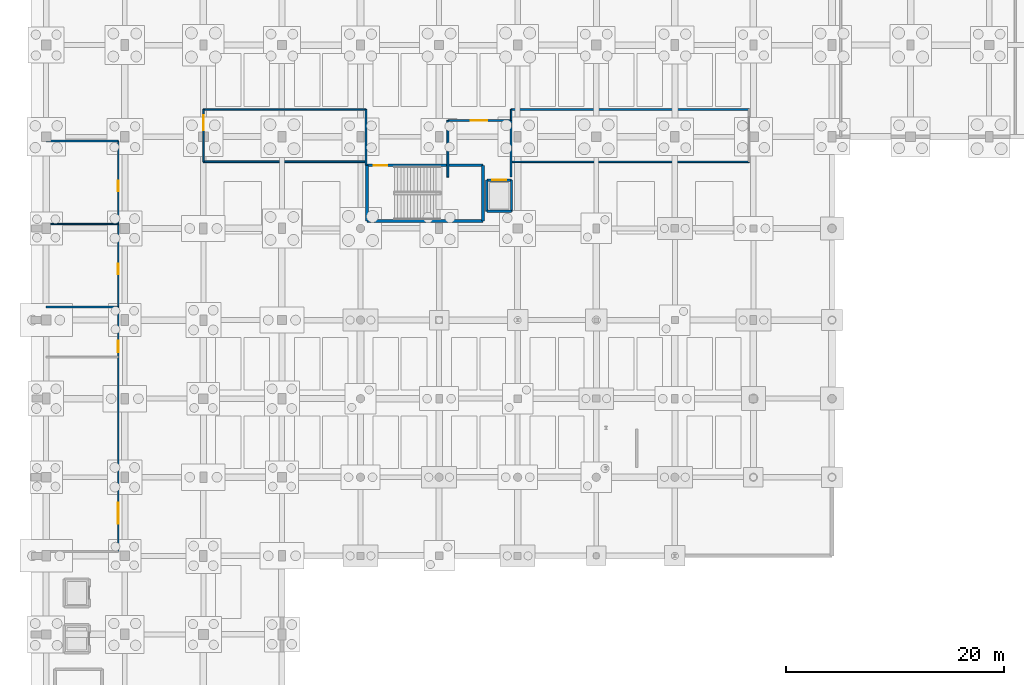
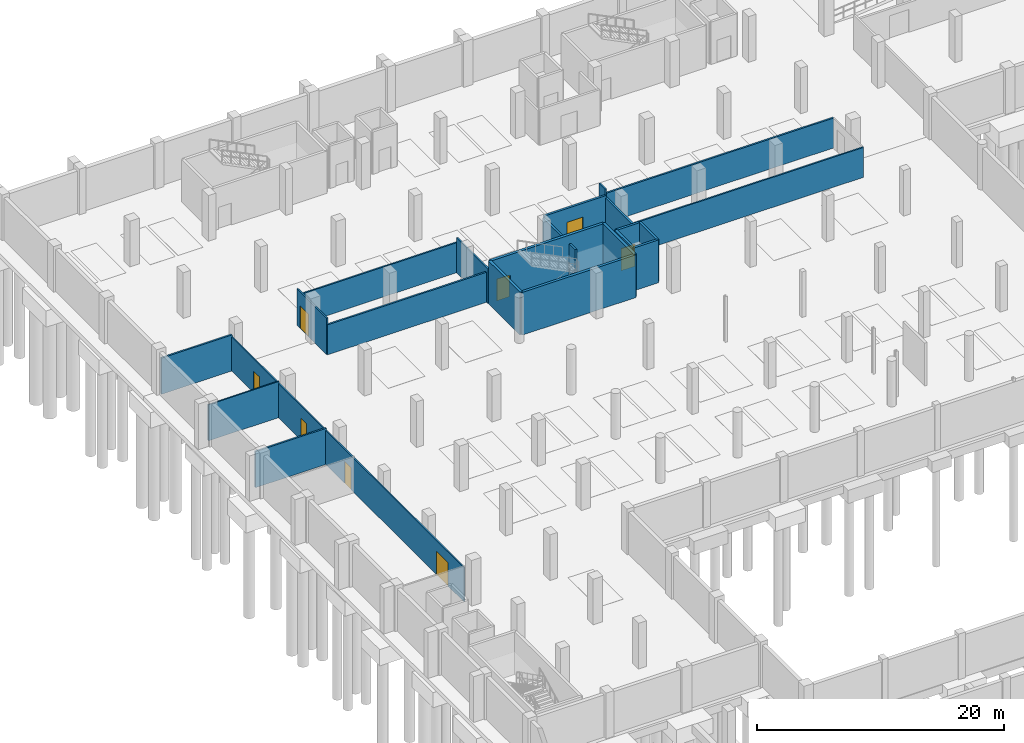
# One storey, part 22 of 35: 22 walls, 8 doors, 8 openings.
"""IFC4 building model written with IfcOpenShell, lengths in metres."""

from ifc_helpers import new_model, si_unit, direction, frame, frame_2d, origin, place, context, subcontext, project, spatial, rectangle, extrude, material, layer, layer_set, type_object, element, fill, save


model = new_model("IFC4")

# Units and contexts
model_context = context("Model", 3, precision=1e-05, world=origin(), true_north=direction((0.0, 1.0)))
body_context = subcontext(model_context, "Body", "Model", "MODEL_VIEW")
ifc_project = project(units=[si_unit("LENGTHUNIT", "METRE"), si_unit("AREAUNIT", "SQUARE_METRE"), si_unit("VOLUMEUNIT", "CUBIC_METRE"), si_unit("PLANEANGLEUNIT", "RADIAN"), si_unit("MASSUNIT", "GRAM", prefix="KILO")], contexts=[model_context])

# Site, building, storey
site_placement = place(None, origin())
site = spatial("IfcSite", under=ifc_project, at=site_placement, CompositionType="ELEMENT")
building_placement = place(site_placement, origin())
building = spatial("IfcBuilding", under=site, at=building_placement, Name="Kalluvel Institute of Natural Sciences", CompositionType="ELEMENT")
storey_placement = place(building_placement, frame((0.0, 0.0, -4.5)))
storey = spatial("IfcBuildingStorey", under=building, at=storey_placement, Name="B1", CompositionType="ELEMENT", Elevation=-4.5)

# Walls
ifc_material_1 = material(Name="Concrete M40", Category="concrete")
ifc_layer_1 = layer(ifc_material_1, 0.25)
ifc_layer_set_1 = layer_set([ifc_layer_1], Name="Concrete M40")
wall_type_1 = type_object("IfcWallType", Name="WL-CORE-250", PredefinedType="SHEAR", material=ifc_layer_set_1)
wall_1_placement = place(storey_placement, frame((43.385009765625, 95.0849609375, 0.0), z_axis=(0.0, 0.0, 1.0), x_axis=(1.0, 0.0, 0.0)))
element("IfcWall", 1, at=wall_1_placement, inside=storey, type_object=wall_type_1, Name="ST3 B1 core wall S", PredefinedType="SHEAR", context=body_context, shape_type="SweptSolid", body=[
    extrude(rectangle(XDim=10.6298828125, YDim=0.25, at=frame_2d((5.31494140625, 0.0))), origin(), (0.0, 0.0, 1.0), 4.215087890625),
])
wall_2_placement = place(storey_placement, frame((54.014892578125, 95.0849609375, 0.0), z_axis=(0.0, 0.0, 1.0), x_axis=(0.0, 1.0, 0.0)))
element("IfcWall", 2, at=wall_2_placement, inside=storey, type_object=wall_type_1, Name="ST3 B1 core wall E", PredefinedType="SHEAR", context=body_context, shape_type="SweptSolid", body=[
    extrude(rectangle(XDim=5.10009765625, YDim=0.25, at=frame_2d((2.550048828125, 0.0))), origin(), (0.0, 0.0, 1.0), 4.215087890625),
])

# Wall, opening, door
wall_3_placement = place(storey_placement, frame((54.014892578125, 100.18505859375, 0.0), z_axis=(0.0, 0.0, 1.0), x_axis=(-1.0, 0.0, 0.0)))
wall_3 = element("IfcWall", 3, at=wall_3_placement, inside=storey, type_object=wall_type_1, Name="ST3 B1 core wall N", PredefinedType="SHEAR", context=body_context, shape_type="SweptSolid", body=[
    extrude(rectangle(XDim=10.6298828125, YDim=0.25, at=frame_2d((5.31494140625, 0.0))), origin(), (0.0, 0.0, 1.0), 4.215087890625),
])
opening_1_placement = place(wall_3_placement, frame((8.780029296875, 0.0, 0.0)))
opening_1 = element("IfcOpeningElement", 4, at=opening_1_placement, cuts=wall_3, Name="Opening DS-023", PredefinedType="OPENING", context=body_context, shape_type="SweptSolid", body=[
    extrude(rectangle(XDim=1.199951171875, YDim=2.14990234375, at=frame_2d((0.60009765625, 1.074951171875))), frame((0.0, 0.135009765625, 0.0), z_axis=(0.0, -1.0, 0.0), x_axis=(1.0, 0.0, 0.0)), (0.0, 0.0, 1.0), 0.27001953125),
])
ifc_material_2 = material(Name="Galvanized Fire-Rated Steel", Category="steel")
door_type_1 = type_object("IfcDoorType", Name="DR-ST-1200", OperationType="NOTDEFINED", PredefinedType="DOOR", material=ifc_material_2)
door_1_placement = place(opening_1_placement, origin())
door_1 = element("IfcDoor", 5, at=door_1_placement, inside=storey, type_object=door_type_1, Name="ST3 B1 protected stair door DS-023", OperationType="SINGLE_SWING_LEFT", OverallHeight=2.14990234375, OverallWidth=1.199951171875, PredefinedType="DOOR", context=body_context, shape_type="SweptSolid", body=[
    extrude(rectangle(XDim=1.199951171875, YDim=2.14990234375, at=frame_2d((0.60009765625, 1.074951171875))), frame((0.0, 0.02490234375, 0.0), z_axis=(0.0, -1.0, 0.0), x_axis=(1.0, 0.0, 0.0)), (0.0, 0.0, 1.0), 0.050048828125),
])
fill(opening_1, door_1)

# Walls
wall_4_placement = place(storey_placement, frame((43.385009765625, 100.18505859375, 0.0), z_axis=(0.0, 0.0, 1.0), x_axis=(0.0, -1.0, 0.0)))
element("IfcWall", 6, at=wall_4_placement, inside=storey, type_object=wall_type_1, Name="ST3 B1 core wall W", PredefinedType="SHEAR", context=body_context, shape_type="SweptSolid", body=[
    extrude(rectangle(XDim=5.10009765625, YDim=0.25, at=frame_2d((2.550048828125, 0.0))), origin(), (0.0, 0.0, 1.0), 4.215087890625),
])
ifc_material_3 = material(Name="Autoclaved Aerated Concrete Masonry Block", Category="masonry")
ifc_layer_2 = layer(ifc_material_3, 0.179931640625)
ifc_layer_set_2 = layer_set([ifc_layer_2], Name="Autoclaved Aerated Concrete Masonry Block")
wall_type_2 = type_object("IfcWallType", Name="WL-FIRE-180", PredefinedType="SOLIDWALL", material=ifc_layer_set_2)
wall_5_placement = place(storey_placement, frame((50.800048828125, 99.10009765625, 0.0), z_axis=(0.0, 0.0, 1.0), x_axis=(0.0, 1.0, 0.0)))
element("IfcWall", 7, at=wall_5_placement, inside=storey, type_object=wall_type_2, Name="B1 interior fire wall WL-INT-B1-0004", PredefinedType="SOLIDWALL", context=body_context, shape_type="SweptSolid", body=[
    extrude(rectangle(XDim=5.199951171875, YDim=0.179931640625, at=frame_2d((2.60009765625, 0.0))), origin(), (0.0, 0.0, 1.0), 3.360107421875),
])
ifc_layer_3 = layer(ifc_material_3, 0.199951171875)
ifc_layer_set_3 = layer_set([ifc_layer_3], Name="Autoclaved Aerated Concrete Masonry Block")
wall_type_3 = type_object("IfcWallType", Name="WL-FIRE-200", PredefinedType="SOLIDWALL", material=ifc_layer_set_3)
wall_6_placement = place(storey_placement, frame((56.60009765625, 99.10009765625, 0.0), z_axis=(0.0, 0.0, 1.0), x_axis=(0.0, 1.0, 0.0)))
element("IfcWall", 8, at=wall_6_placement, inside=storey, type_object=wall_type_3, Name="B1 interior fire wall WL-INT-B1-0005", PredefinedType="SOLIDWALL", context=body_context, shape_type="SweptSolid", body=[
    extrude(rectangle(XDim=5.199951171875, YDim=0.199951171875, at=frame_2d((2.60009765625, 0.0))), origin(), (0.0, 0.0, 1.0), 3.360107421875),
])

# Wall, opening, door
wall_7_placement = place(storey_placement, frame((50.800048828125, 104.300048828125, 0.0), z_axis=(0.0, 0.0, 1.0), x_axis=(1.0, 0.0, 0.0)))
wall_7 = element("IfcWall", 9, at=wall_7_placement, inside=storey, type_object=wall_type_3, Name="B1 interior fire wall WL-INT-B1-0006", PredefinedType="SOLIDWALL", context=body_context, shape_type="SweptSolid", body=[
    extrude(rectangle(XDim=5.800048828125, YDim=0.199951171875, at=frame_2d((2.89990234375, 0.0))), origin(), (0.0, 0.0, 1.0), 3.56005859375),
])
opening_2_placement = place(wall_7_placement, frame((2.10009765625, 0.0, 0.0)))
opening_2 = element("IfcOpeningElement", 10, at=opening_2_placement, cuts=wall_7, Name="Opening D-051", PredefinedType="OPENING", context=body_context, shape_type="SweptSolid", body=[
    extrude(rectangle(XDim=1.5, YDim=2.199951171875, at=frame_2d((0.75, 1.10009765625))), frame((0.0, 0.10986328125, 0.0), z_axis=(0.0, -1.0, 0.0), x_axis=(1.0, 0.0, 0.0)), (0.0, 0.0, 1.0), 0.219970703125),
])
door_type_2 = type_object("IfcDoorType", Name="DR-FD60-1500", OperationType="NOTDEFINED", PredefinedType="DOOR", material=ifc_material_2)
door_2_placement = place(opening_2_placement, origin())
door_2 = element("IfcDoor", 11, at=door_2_placement, inside=storey, type_object=door_type_2, Name="B1 FF2 door door D-051", OperationType="DOUBLE_DOOR_SINGLE_SWING", OverallHeight=2.199951171875, OverallWidth=1.5, PredefinedType="DOOR", context=body_context, shape_type="SweptSolid", body=[
    extrude(rectangle(XDim=1.5, YDim=2.199951171875, at=frame_2d((0.75, 1.10009765625))), frame((0.0, 0.02490234375, 0.0), z_axis=(0.0, -1.0, 0.0), x_axis=(1.0, 0.0, 0.0)), (0.0, 0.0, 1.0), 0.050048828125),
])
fill(opening_2, door_2)

ifc_material_4 = material(Name="Acoustic Gypsum Twin-Stud Partition", Category="gypsum")
ifc_layer_4 = layer(ifc_material_4, 0.1201171875)
ifc_layer_set_4 = layer_set([ifc_layer_4], Name="Acoustic Gypsum Twin-Stud Partition")
wall_type_4 = type_object("IfcWallType", Name="WL-PART-120", PredefinedType="PARTITIONING", material=ifc_layer_set_4)
wall_8_placement = place(storey_placement, frame((28.39990234375, 100.5, 0.0), z_axis=(0.0, 0.0, 1.0), x_axis=(0.0, 1.0, 0.0)))
wall_8 = element("IfcWall", 12, at=wall_8_placement, inside=storey, type_object=wall_type_4, Name="B1 interior partition wall WL-INT-B1-0009", PredefinedType="PARTITIONING", context=body_context, shape_type="SweptSolid", body=[
    extrude(rectangle(XDim=4.800048828125, YDim=0.1201171875, at=frame_2d((2.39990234375, 0.0))), origin(), (0.0, 0.0, 1.0), 3.610107421875),
])
opening_3_placement = place(wall_8_placement, frame((2.89990234375, 0.0, 0.0)))
opening_3 = element("IfcOpeningElement", 13, at=opening_3_placement, cuts=wall_8, Name="Opening D-052", PredefinedType="OPENING", context=body_context, shape_type="SweptSolid", body=[
    extrude(rectangle(XDim=1.35009765625, YDim=2.199951171875, at=frame_2d((0.675048828125, 1.10009765625))), frame((0.0, 0.070068359375, 0.0), z_axis=(0.0, -1.0, 0.0), x_axis=(1.0, 0.0, 0.0)), (0.0, 0.0, 1.0), 0.14013671875),
])
ifc_material_5 = material(Name="Aluminium AW-6063 T6", Category="aluminium")
door_type_3 = type_object("IfcDoorType", Name="DR-INT-1350", OperationType="NOTDEFINED", PredefinedType="DOOR", material=ifc_material_5)
door_3_placement = place(opening_3_placement, origin())
door_3 = element("IfcDoor", 14, at=door_3_placement, inside=storey, type_object=door_type_3, Name="B1 West Cryo-Archive door D-052", OperationType="SINGLE_SWING_LEFT", OverallHeight=2.199951171875, OverallWidth=1.35009765625, PredefinedType="DOOR", context=body_context, shape_type="SweptSolid", body=[
    extrude(rectangle(XDim=1.35009765625, YDim=2.199951171875, at=frame_2d((0.675048828125, 1.10009765625))), frame((0.0, 0.02490234375, 0.0), z_axis=(0.0, -1.0, 0.0), x_axis=(1.0, 0.0, 0.0)), (0.0, 0.0, 1.0), 0.050048828125),
])
fill(opening_3, door_3)

# Wall, openings, doors
wall_9_placement = place(storey_placement, frame((20.60009765625, 64.800048828125, 0.0), z_axis=(0.0, 0.0, 1.0), x_axis=(0.0, 1.0, 0.0)))
wall_9 = element("IfcWall", 15, at=wall_9_placement, inside=storey, type_object=wall_type_4, Name="B1 interior partition wall WL-INT-B1-0015", PredefinedType="PARTITIONING", context=body_context, shape_type="SweptSolid", body=[
    extrude(rectangle(XDim=37.599853515625, YDim=0.1201171875, at=frame_2d((18.7998046875, 0.0))), origin(), (0.0, 0.0, 1.0), 3.360107421875),
])
opening_4_placement = place(wall_9_placement, frame((33.0, 0.0, 0.0)))
opening_4 = element("IfcOpeningElement", 16, at=opening_4_placement, cuts=wall_9, Name="Opening D-054", PredefinedType="OPENING", context=body_context, shape_type="SweptSolid", body=[
    extrude(rectangle(XDim=0.949951171875, YDim=2.14990234375, at=frame_2d((0.47509765625, 1.074951171875))), frame((0.0, 0.070068359375, 0.0), z_axis=(0.0, -1.0, 0.0), x_axis=(1.0, 0.0, 0.0)), (0.0, 0.0, 1.0), 0.14013671875),
])
opening_5_placement = place(wall_9_placement, frame((25.39990234375, 0.0, 0.0)))
opening_5 = element("IfcOpeningElement", 17, at=opening_5_placement, cuts=wall_9, Name="Opening D-055", PredefinedType="OPENING", context=body_context, shape_type="SweptSolid", body=[
    extrude(rectangle(XDim=0.949951171875, YDim=2.14990234375, at=frame_2d((0.47509765625, 1.074951171875))), frame((0.0, 0.070068359375, 0.0), z_axis=(0.0, -1.0, 0.0), x_axis=(1.0, 0.0, 0.0)), (0.0, 0.0, 1.0), 0.14013671875),
])
opening_6_placement = place(wall_9_placement, frame((18.25, 0.0, 0.0)))
opening_6 = element("IfcOpeningElement", 18, at=opening_6_placement, cuts=wall_9, Name="Opening D-056", PredefinedType="OPENING", context=body_context, shape_type="SweptSolid", body=[
    extrude(rectangle(XDim=1.050048828125, YDim=2.14990234375, at=frame_2d((0.52490234375, 1.074951171875))), frame((0.0, 0.070068359375, 0.0), z_axis=(0.0, -1.0, 0.0), x_axis=(1.0, 0.0, 0.0)), (0.0, 0.0, 1.0), 0.14013671875),
])
opening_7_placement = place(wall_9_placement, frame((2.550048828125, 0.0, 0.0)))
opening_7 = element("IfcOpeningElement", 19, at=opening_7_placement, cuts=wall_9, Name="Opening D-057", PredefinedType="OPENING", context=body_context, shape_type="SweptSolid", body=[
    extrude(rectangle(XDim=1.89990234375, YDim=2.300048828125, at=frame_2d((0.949951171875, 1.14990234375))), frame((0.0, 0.070068359375, 0.0), z_axis=(0.0, -1.0, 0.0), x_axis=(1.0, 0.0, 0.0)), (0.0, 0.0, 1.0), 0.14013671875),
])
ifc_material_6 = material(Name="Engineered Hardwood Acoustic Leaf", Category="wood")
door_type_4 = type_object("IfcDoorType", Name="DR-ACC-1050", OperationType="NOTDEFINED", PredefinedType="DOOR", material=ifc_material_6)
door_4_placement = place(opening_6_placement, origin())
door_4 = element("IfcDoor", 20, at=door_4_placement, inside=storey, type_object=door_type_4, Name="B1 Accessible WC door D-056", OperationType="SINGLE_SWING_LEFT", OverallHeight=2.14990234375, OverallWidth=1.050048828125, PredefinedType="DOOR", context=body_context, shape_type="SweptSolid", body=[
    extrude(rectangle(XDim=1.050048828125, YDim=2.14990234375, at=frame_2d((0.52490234375, 1.074951171875))), frame((0.0, 0.02490234375, 0.0), z_axis=(0.0, -1.0, 0.0), x_axis=(1.0, 0.0, 0.0)), (0.0, 0.0, 1.0), 0.050048828125),
])
fill(opening_6, door_4)
door_type_5 = type_object("IfcDoorType", Name="DR-DBL-1900", OperationType="NOTDEFINED", PredefinedType="DOOR", material=ifc_material_5)
door_5_placement = place(opening_7_placement, origin())
door_5 = element("IfcDoor", 21, at=door_5_placement, inside=storey, type_object=door_type_5, Name="B1 Cycle store door D-057", OperationType="DOUBLE_DOOR_SINGLE_SWING", OverallHeight=2.300048828125, OverallWidth=1.89990234375, PredefinedType="DOOR", context=body_context, shape_type="SweptSolid", body=[
    extrude(rectangle(XDim=1.89990234375, YDim=2.300048828125, at=frame_2d((0.949951171875, 1.14990234375))), frame((0.0, 0.02490234375, 0.0), z_axis=(0.0, -1.0, 0.0), x_axis=(1.0, 0.0, 0.0)), (0.0, 0.0, 1.0), 0.050048828125),
])
fill(opening_7, door_5)
door_type_6 = type_object("IfcDoorType", Name="DR-INT-950", OperationType="NOTDEFINED", PredefinedType="DOOR", material=ifc_material_6)
door_6_placement = place(opening_4_placement, origin())
door_6 = element("IfcDoor", 22, at=door_6_placement, inside=storey, type_object=door_type_6, Name="B1 Male WC door D-054", OperationType="SINGLE_SWING_LEFT", OverallHeight=2.14990234375, OverallWidth=0.949951171875, PredefinedType="DOOR", context=body_context, shape_type="SweptSolid", body=[
    extrude(rectangle(XDim=0.949951171875, YDim=2.14990234375, at=frame_2d((0.47509765625, 1.074951171875))), frame((0.0, 0.02490234375, 0.0), z_axis=(0.0, -1.0, 0.0), x_axis=(1.0, 0.0, 0.0)), (0.0, 0.0, 1.0), 0.050048828125),
])
fill(opening_4, door_6)
door_7_placement = place(opening_5_placement, origin())
door_7 = element("IfcDoor", 23, at=door_7_placement, inside=storey, type_object=door_type_6, Name="B1 Female WC door D-055", OperationType="SINGLE_SWING_RIGHT", OverallHeight=2.14990234375, OverallWidth=0.949951171875, PredefinedType="DOOR", context=body_context, shape_type="SweptSolid", body=[
    extrude(rectangle(XDim=0.949951171875, YDim=2.14990234375, at=frame_2d((0.47509765625, 1.074951171875))), frame((0.0, 0.02490234375, 0.0), z_axis=(0.0, -1.0, 0.0), x_axis=(1.0, 0.0, 0.0)), (0.0, 0.0, 1.0), 0.050048828125),
])
fill(opening_5, door_7)

# Walls
wall_10_placement = place(storey_placement, frame((14.0, 94.800048828125, 0.0), z_axis=(0.0, 0.0, 1.0), x_axis=(1.0, 0.0, 0.0)))
element("IfcWall", 24, at=wall_10_placement, inside=storey, type_object=wall_type_4, Name="B1 interior partition wall WL-INT-B1-0018", PredefinedType="PARTITIONING", context=body_context, shape_type="SweptSolid", body=[
    extrude(rectangle(XDim=6.60009765625, YDim=0.1201171875, at=frame_2d((3.300048828125, 0.0))), origin(), (0.0, 0.0, 1.0), 3.56005859375),
])
ifc_layer_5 = layer(ifc_material_4, 0.139892578125)
ifc_layer_set_5 = layer_set([ifc_layer_5], Name="Acoustic Gypsum Twin-Stud Partition")
wall_type_5 = type_object("IfcWallType", Name="WL-PART-140", PredefinedType="PARTITIONING", material=ifc_layer_set_5)
wall_11_placement = place(storey_placement, frame((28.39990234375, 105.300048828125, 0.0), z_axis=(0.0, 0.0, 1.0), x_axis=(1.0, 0.0, 0.0)))
element("IfcWall", 25, at=wall_11_placement, inside=storey, type_object=wall_type_5, Name="B1 interior partition wall WL-INT-B1-0008", PredefinedType="PARTITIONING", context=body_context, shape_type="SweptSolid", body=[
    extrude(rectangle(XDim=14.900146484375, YDim=0.139892578125, at=frame_2d((7.4501953125, 0.0))), origin(), (0.0, 0.0, 1.0), 2.9599609375),
])
wall_12_placement = place(storey_placement, frame((56.60009765625, 100.5, 0.0), z_axis=(0.0, 0.0, 1.0), x_axis=(1.0, 0.0, 0.0)))
element("IfcWall", 26, at=wall_12_placement, inside=storey, type_object=wall_type_5, Name="B1 interior partition wall WL-INT-B1-0011", PredefinedType="PARTITIONING", context=body_context, shape_type="SweptSolid", body=[
    extrude(rectangle(XDim=21.7998046875, YDim=0.139892578125, at=frame_2d((10.89990234375, 0.0))), origin(), (0.0, 0.0, 1.0), 2.9599609375),
])
wall_13_placement = place(storey_placement, frame((56.60009765625, 104.300048828125, 0.0), z_axis=(0.0, 0.0, 1.0), x_axis=(0.0, 1.0, 0.0)))
element("IfcWall", 27, at=wall_13_placement, inside=storey, type_object=wall_type_5, Name="B1 interior partition wall WL-INT-B1-0014", PredefinedType="PARTITIONING", context=body_context, shape_type="SweptSolid", body=[
    extrude(rectangle(XDim=1.0, YDim=0.139892578125, at=frame_2d((0.5, 0.0))), origin(), (0.0, 0.0, 1.0), 4.1201171875),
])
ifc_layer_6 = layer(ifc_material_3, 0.159912109375)
ifc_layer_set_6 = layer_set([ifc_layer_6], Name="Autoclaved Aerated Concrete Masonry Block")
wall_type_6 = type_object("IfcWallType", Name="WL-PART-160", PredefinedType="PARTITIONING", material=ifc_layer_set_6)
wall_14_placement = place(storey_placement, frame((28.39990234375, 100.5, 0.0), z_axis=(0.0, 0.0, 1.0), x_axis=(1.0, 0.0, 0.0)))
element("IfcWall", 28, at=wall_14_placement, inside=storey, type_object=wall_type_6, Name="B1 interior partition wall WL-INT-B1-0007", PredefinedType="PARTITIONING", context=body_context, shape_type="SweptSolid", body=[
    extrude(rectangle(XDim=14.900146484375, YDim=0.159912109375, at=frame_2d((7.4501953125, 0.0))), origin(), (0.0, 0.0, 1.0), 2.9599609375),
])
wall_15_placement = place(storey_placement, frame((43.300048828125, 100.199951171875, 0.0), z_axis=(0.0, 0.0, 1.0), x_axis=(0.0, 1.0, 0.0)))
element("IfcWall", 29, at=wall_15_placement, inside=storey, type_object=wall_type_6, Name="B1 interior partition wall WL-INT-B1-0010", PredefinedType="PARTITIONING", context=body_context, shape_type="SweptSolid", body=[
    extrude(rectangle(XDim=5.10009765625, YDim=0.159912109375, at=frame_2d((2.550048828125, 0.0))), origin(), (0.0, 0.0, 1.0), 3.409912109375),
])
wall_16_placement = place(storey_placement, frame((56.60009765625, 105.300048828125, 0.0), z_axis=(0.0, 0.0, 1.0), x_axis=(1.0, 0.0, 0.0)))
element("IfcWall", 30, at=wall_16_placement, inside=storey, type_object=wall_type_6, Name="B1 interior partition wall WL-INT-B1-0013", PredefinedType="PARTITIONING", context=body_context, shape_type="SweptSolid", body=[
    extrude(rectangle(XDim=21.7998046875, YDim=0.159912109375, at=frame_2d((10.89990234375, 0.0))), origin(), (0.0, 0.0, 1.0), 2.9599609375),
])
for number, where, z_axis, x_axis, name in (
    (31, (14.0, 102.39990234375, 0.0), (0.0, 0.0, 1.0), (1.0, 0.0, 0.0), "B1 interior partition wall WL-INT-B1-0016"),
    (32, (14.0, 87.199951171875, 0.0), (0.0, 0.0, 1.0), (1.0, 0.0, 0.0), "B1 interior partition wall WL-INT-B1-0019"),
):
    element("IfcWall", number, at=place(storey_placement, frame(where, z_axis=z_axis, x_axis=x_axis)), inside=storey, type_object=wall_type_6, Name=name, PredefinedType="PARTITIONING", context=body_context, shape_type="SweptSolid", body=[
        extrude(rectangle(XDim=6.60009765625, YDim=0.159912109375, at=frame_2d((3.300048828125, 0.0))), origin(), (0.0, 0.0, 1.0), 3.56005859375),
    ])
ifc_layer_7 = layer(ifc_material_1, 0.219970703125)
ifc_layer_set_7 = layer_set([ifc_layer_7], Name="Concrete M40")
wall_type_7 = type_object("IfcWallType", Name="WL-SHAFT-220", PredefinedType="SHEAR", material=ifc_layer_set_7)
wall_17_placement = place(storey_placement, frame((54.3701171875, 95.969970703125, 0.0), z_axis=(0.0, 0.0, 1.0), x_axis=(1.0, 0.0, 0.0)))
element("IfcWall", 33, at=wall_17_placement, inside=storey, type_object=wall_type_7, Name="LF8 B1 lift shaft wall", PredefinedType="SHEAR", context=body_context, shape_type="SweptSolid", body=[
    extrude(rectangle(XDim=2.259765625, YDim=0.219970703125, at=frame_2d((1.1298828125, 0.0))), origin(), (0.0, 0.0, 1.0), 4.215087890625),
])
wall_18_placement = place(storey_placement, frame((56.6298828125, 95.969970703125, 0.0), z_axis=(0.0, 0.0, 1.0), x_axis=(0.0, 1.0, 0.0)))
element("IfcWall", 34, at=wall_18_placement, inside=storey, type_object=wall_type_7, Name="LF8 B1 lift shaft wall", PredefinedType="SHEAR", context=body_context, shape_type="SweptSolid", body=[
    extrude(rectangle(XDim=2.860107421875, YDim=0.219970703125, at=frame_2d((1.43017578125, 0.0))), origin(), (0.0, 0.0, 1.0), 4.215087890625),
])

# Wall, opening, door
wall_19_placement = place(storey_placement, frame((56.6298828125, 98.830078125, 0.0), z_axis=(0.0, 0.0, 1.0), x_axis=(-1.0, 0.0, 0.0)))
wall_19 = element("IfcWall", 35, at=wall_19_placement, inside=storey, type_object=wall_type_7, Name="LF8 B1 lift shaft wall", PredefinedType="SHEAR", context=body_context, shape_type="SweptSolid", body=[
    extrude(rectangle(XDim=2.259765625, YDim=0.219970703125, at=frame_2d((1.1298828125, 0.0))), origin(), (0.0, 0.0, 1.0), 4.215087890625),
])
opening_8_placement = place(wall_19_placement, frame((0.47998046875, 0.0, 0.0)))
opening_8 = element("IfcOpeningElement", 36, at=opening_8_placement, cuts=wall_19, Name="Opening LD-059", PredefinedType="OPENING", context=body_context, shape_type="SweptSolid", body=[
    extrude(rectangle(XDim=1.300048828125, YDim=2.199951171875, at=frame_2d((0.64990234375, 1.10009765625))), frame((0.0, 0.119873046875, 0.0), z_axis=(0.0, -1.0, 0.0), x_axis=(1.0, 0.0, 0.0)), (0.0, 0.0, 1.0), 0.239990234375),
])
door_type_7 = type_object("IfcDoorType", Name="DR-LD-1300", OperationType="NOTDEFINED", PredefinedType="DOOR", material=ifc_material_2)
door_8_placement = place(opening_8_placement, origin())
door_8 = element("IfcDoor", 37, at=door_8_placement, inside=storey, type_object=door_type_7, Name="LF8 B1 sliding lift landing door LD-059", OperationType="DOUBLE_DOOR_SLIDING", OverallHeight=2.199951171875, OverallWidth=1.300048828125, PredefinedType="DOOR", context=body_context, shape_type="SweptSolid", body=[
    extrude(rectangle(XDim=1.300048828125, YDim=2.199951171875, at=frame_2d((0.64990234375, 1.10009765625))), frame((0.0, 0.02490234375, 0.0), z_axis=(0.0, -1.0, 0.0), x_axis=(1.0, 0.0, 0.0)), (0.0, 0.0, 1.0), 0.050048828125),
])
fill(opening_8, door_8)

# Wall
wall_20_placement = place(storey_placement, frame((54.3701171875, 98.830078125, 0.0), z_axis=(0.0, 0.0, 1.0), x_axis=(0.0, -1.0, 0.0)))
element("IfcWall", 38, at=wall_20_placement, inside=storey, type_object=wall_type_7, Name="LF8 B1 lift shaft wall", PredefinedType="SHEAR", context=body_context, shape_type="SweptSolid", body=[
    extrude(rectangle(XDim=2.860107421875, YDim=0.219970703125, at=frame_2d((1.43017578125, 0.0))), origin(), (0.0, 0.0, 1.0), 4.215087890625),
])

save(model, "model.ifc")
